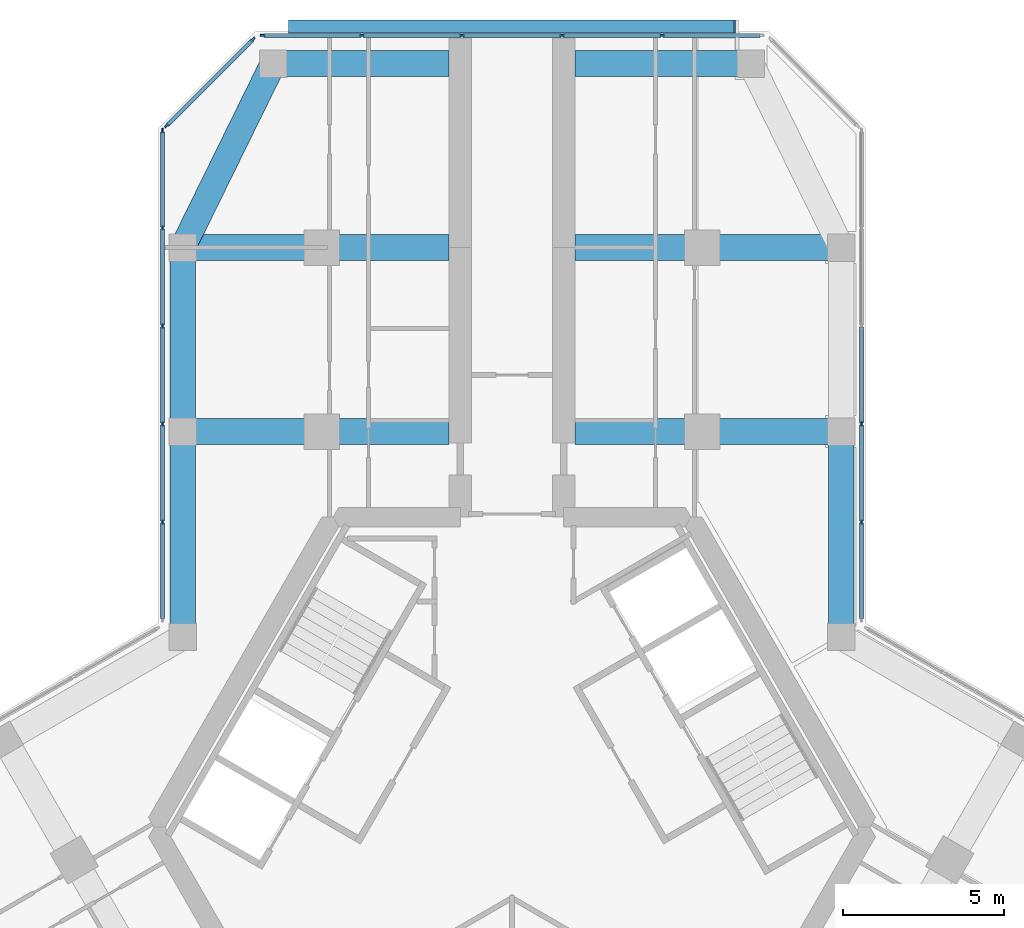
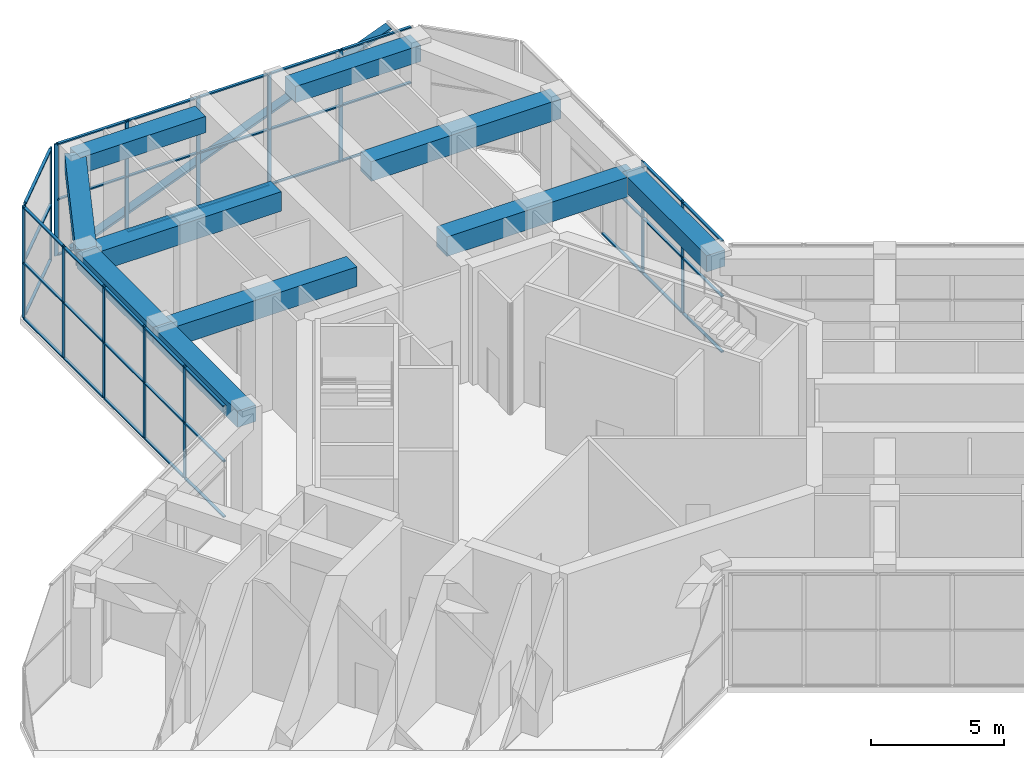
# One storey, part 7 of 16: 56 members, 10 beams, 4 elements without a shape of their own.
"""IFC4 building model written with IfcOpenShell, lengths in metres."""

from ifc_helpers import new_model, si_unit, direction, frame, origin, origin_2d, place, context, subcontext, project, spatial, rectangle, extrude, material, material_profile, profile_set, type_object, element, aggregate, save


model = new_model("IFC4")

# Units and contexts
model_context = context("Model", 3, precision=1e-05, world=origin(), true_north=direction((0.0, 1.0)))
body_context = subcontext(model_context, "Body", "Model", "MODEL_VIEW")
ifc_project = project(units=[si_unit("LENGTHUNIT", "METRE"), si_unit("AREAUNIT", "SQUARE_METRE"), si_unit("VOLUMEUNIT", "CUBIC_METRE"), si_unit("PLANEANGLEUNIT", "RADIAN"), si_unit("MASSUNIT", "GRAM", prefix="KILO")], contexts=[model_context])

# Site, building, storey
site_placement = place(None, origin())
site = spatial("IfcSite", under=ifc_project, at=site_placement, CompositionType="ELEMENT")
building_placement = place(site_placement, origin())
building = spatial("IfcBuilding", under=site, at=building_placement, Name="Kosmar Iwan School Tower", CompositionType="ELEMENT")
storey_placement = place(building_placement, frame((0.0, 0.0, 226.199951171875)))
storey = spatial("IfcBuildingStorey", under=building, at=storey_placement, Name="L57", CompositionType="ELEMENT", Elevation=226.199951171875)

# Member
ifc_material_1 = material(Name="Black anodised aluminium", Category="aluminium")
ifc_material_profile_1 = material_profile(ifc_material_1, rectangle(XDim=0.10009765625, YDim=0.39990234375, at=origin_2d()), Name="FIN 100x400")
ifc_profile_set_1 = profile_set([ifc_material_profile_1], Name="Black anodised aluminium")
member_type_1 = type_object("IfcMemberType", Name="Diagonal fin 100x400", PredefinedType="USERDEFINED", material=ifc_profile_set_1)
member_1_placement = place(storey_placement, frame((-6.898193359375, 24.800048828125, -0.14990234375), z_axis=(0.93121262856, 0.0, 0.364476392116), x_axis=(-0.364476392116, 0.0, 0.93121262856)))
element("IfcMember", 1, at=member_1_placement, inside=storey, type_object=member_type_1, Name="Diagonal fin L57-F06", ObjectType="FIN", PredefinedType="USERDEFINED", context=body_context, shape_type="SweptSolid", body=[
    extrude(rectangle(XDim=0.10009765625, YDim=0.39990234375, at=origin_2d()), origin(), (0.0, 0.0, 1.0), 14.8154296875),
])

# Curtain wall, members
ifc_material_2 = material(Name="Dark glass in black aluminium frame", Category="aluminium")
curtain_wall_type_1 = type_object("IfcCurtainWallType", Name="Winter garden curtain wall", PredefinedType="USERDEFINED", material=ifc_material_2)
curtain_wall_1_placement = place(storey_placement, origin())
curtain_wall_1 = element("IfcCurtainWall", 2, at=curtain_wall_1_placement, inside=storey, type_object=curtain_wall_type_1, Name="Curtain wall L57-F04", ObjectType="WINTER GARDEN CURTAIN WALL", PredefinedType="USERDEFINED")
ifc_material_3 = material(Name="Black anodised aluminium", Category="aluminium")
ifc_material_profile_2 = material_profile(ifc_material_3, rectangle(XDim=0.06005859375, YDim=0.159912109375, at=origin_2d()), Name="MULLION 60x160")
ifc_profile_set_2 = profile_set([ifc_material_profile_2], Name="Black anodised aluminium")
member_type_2 = type_object("IfcMemberType", Name="Mullion 60x160", PredefinedType="MULLION", material=ifc_profile_set_2)
member_2_placement = place(storey_placement, frame((10.824951171875, 9.44677734375, 0.0), z_axis=(0.0, 0.0, 1.0), x_axis=(-1.0, 0.0, 0.0)))
member_2 = element("IfcMember", 3, at=member_2_placement, type_object=member_type_2, Name="CW7 mullion 2", PredefinedType="MULLION", context=body_context, shape_type="SweptSolid", body=[
    extrude(rectangle(XDim=0.06005859375, YDim=0.159912109375, at=origin_2d()), origin(), (0.0, 0.0, 1.0), 5.150146484375),
])
member_3_placement = place(storey_placement, frame((10.824951171875, 12.484619140625, 0.0), z_axis=(0.0, 0.0, 1.0), x_axis=(-1.0, 0.0, 0.0)))
member_3 = element("IfcMember", 4, at=member_3_placement, type_object=member_type_2, Name="CW7 mullion 3", PredefinedType="MULLION", context=body_context, shape_type="SweptSolid", body=[
    extrude(rectangle(XDim=0.06005859375, YDim=0.159912109375, at=origin_2d()), origin(), (0.0, 0.0, 1.0), 5.150146484375),
])

ifc_material_4 = material(Name="Dark glass in black aluminium frame", Category="aluminium")
curtain_wall_type_2 = type_object("IfcCurtainWallType", Name="Tower curtain wall dark glass", PredefinedType="USERDEFINED", material=ifc_material_4)
curtain_wall_2_placement = place(storey_placement, origin())
curtain_wall_2 = element("IfcCurtainWall", 5, at=curtain_wall_2_placement, inside=storey, type_object=curtain_wall_type_2, Name="Curtain wall L57-F06", ObjectType="UNITISED CURTAIN WALL", PredefinedType="USERDEFINED")
member_4_placement = place(storey_placement, frame((4.64892578125, 24.52490234375, 0.0), z_axis=(0.0, 0.0, 1.0), x_axis=(0.0, -1.0, 0.0)))
member_4 = element("IfcMember", 6, at=member_4_placement, type_object=member_type_2, Name="CW1 mullion 2", PredefinedType="MULLION", context=body_context, shape_type="SweptSolid", body=[
    extrude(rectangle(XDim=0.06005859375, YDim=0.159912109375, at=origin_2d()), origin(), (0.0, 0.0, 1.0), 5.150146484375),
])
member_5_placement = place(storey_placement, frame((1.549560546875, 24.52490234375, 0.0), z_axis=(0.0, 0.0, 1.0), x_axis=(0.0, -1.0, 0.0)))
member_5 = element("IfcMember", 7, at=member_5_placement, type_object=member_type_2, Name="CW1 mullion 3", PredefinedType="MULLION", context=body_context, shape_type="SweptSolid", body=[
    extrude(rectangle(XDim=0.06005859375, YDim=0.159912109375, at=origin_2d()), origin(), (0.0, 0.0, 1.0), 5.150146484375),
])
member_6_placement = place(storey_placement, frame((-1.549560546875, 24.52490234375, 0.0), z_axis=(0.0, 0.0, 1.0), x_axis=(0.0, -1.0, 0.0)))
member_6 = element("IfcMember", 8, at=member_6_placement, type_object=member_type_2, Name="CW1 mullion 4", PredefinedType="MULLION", context=body_context, shape_type="SweptSolid", body=[
    extrude(rectangle(XDim=0.06005859375, YDim=0.159912109375, at=origin_2d()), origin(), (0.0, 0.0, 1.0), 5.150146484375),
])
member_7_placement = place(storey_placement, frame((-4.64892578125, 24.52490234375, 0.0), z_axis=(0.0, 0.0, 1.0), x_axis=(0.0, -1.0, 0.0)))
member_7 = element("IfcMember", 9, at=member_7_placement, type_object=member_type_2, Name="CW1 mullion 5", PredefinedType="MULLION", context=body_context, shape_type="SweptSolid", body=[
    extrude(rectangle(XDim=0.06005859375, YDim=0.159912109375, at=origin_2d()), origin(), (0.0, 0.0, 1.0), 5.150146484375),
])
member_8_placement = place(storey_placement, frame((-7.71826171875, 24.52490234375, 0.0), z_axis=(0.0, 0.0, 1.0), x_axis=(0.0, -1.0, 0.0)))
member_8 = element("IfcMember", 10, at=member_8_placement, type_object=member_type_2, Name="CW1 mullion 6", PredefinedType="MULLION", context=body_context, shape_type="SweptSolid", body=[
    extrude(rectangle(XDim=0.06005859375, YDim=0.159912109375, at=origin_2d()), origin(), (0.0, 0.0, 1.0), 5.150146484375),
])

ifc_material_5 = material(Name="Dark glass in black aluminium frame", Category="aluminium")
curtain_wall_type_3 = type_object("IfcCurtainWallType", Name="Chamfer curtain wall dark glass", PredefinedType="USERDEFINED", material=ifc_material_5)
curtain_wall_3_placement = place(storey_placement, origin())
curtain_wall_3 = element("IfcCurtainWall", 11, at=curtain_wall_3_placement, inside=storey, type_object=curtain_wall_type_3, Name="Curtain wall L57-F07", ObjectType="FACETED CURTAIN WALL", PredefinedType="USERDEFINED")
member_9_placement = place(storey_placement, frame((-8.025390625, 24.397705078125, 0.0), z_axis=(0.0, 0.0, 1.0), x_axis=(0.707106781187, -0.707106781187, 0.0)))
member_9 = element("IfcMember", 12, at=member_9_placement, type_object=member_type_2, Name="CW2 mullion 1", PredefinedType="MULLION", context=body_context, shape_type="SweptSolid", body=[
    extrude(rectangle(XDim=0.06005859375, YDim=0.159912109375, at=origin_2d()), origin(), (0.0, 0.0, 1.0), 5.150146484375),
])
member_10_placement = place(storey_placement, frame((-10.69775390625, 21.7255859375, 0.0), z_axis=(0.0, 0.0, 1.0), x_axis=(0.707106781187, -0.707106781187, 0.0)))
member_10 = element("IfcMember", 13, at=member_10_placement, type_object=member_type_2, Name="CW2 mullion 2", PredefinedType="MULLION", context=body_context, shape_type="SweptSolid", body=[
    extrude(rectangle(XDim=0.06005859375, YDim=0.159912109375, at=origin_2d()), origin(), (0.0, 0.0, 1.0), 5.150146484375),
])

curtain_wall_4_placement = place(storey_placement, origin())
curtain_wall_4 = element("IfcCurtainWall", 14, at=curtain_wall_4_placement, inside=storey, type_object=curtain_wall_type_1, Name="Curtain wall L57-F08", ObjectType="WINTER GARDEN CURTAIN WALL", PredefinedType="USERDEFINED")
member_11_placement = place(storey_placement, frame((-10.824951171875, 9.44677734375, 0.0), z_axis=(0.0, 0.0, 1.0), x_axis=(-1.0, 0.0, 0.0)))
member_11 = element("IfcMember", 15, at=member_11_placement, type_object=member_type_2, Name="CW7 mullion 2", PredefinedType="MULLION", context=body_context, shape_type="SweptSolid", body=[
    extrude(rectangle(XDim=0.06005859375, YDim=0.159912109375, at=origin_2d()), origin(), (0.0, 0.0, 1.0), 5.150146484375),
])
member_12_placement = place(storey_placement, frame((-10.824951171875, 12.484619140625, 0.0), z_axis=(0.0, 0.0, 1.0), x_axis=(-1.0, 0.0, 0.0)))
member_12 = element("IfcMember", 16, at=member_12_placement, type_object=member_type_2, Name="CW7 mullion 3", PredefinedType="MULLION", context=body_context, shape_type="SweptSolid", body=[
    extrude(rectangle(XDim=0.06005859375, YDim=0.159912109375, at=origin_2d()), origin(), (0.0, 0.0, 1.0), 5.150146484375),
])
member_13_placement = place(storey_placement, frame((-10.824951171875, 15.5224609375, 0.0), z_axis=(0.0, 0.0, 1.0), x_axis=(-1.0, 0.0, 0.0)))
member_13 = element("IfcMember", 17, at=member_13_placement, type_object=member_type_2, Name="CW7 mullion 4", PredefinedType="MULLION", context=body_context, shape_type="SweptSolid", body=[
    extrude(rectangle(XDim=0.06005859375, YDim=0.159912109375, at=origin_2d()), origin(), (0.0, 0.0, 1.0), 5.150146484375),
])
member_14_placement = place(storey_placement, frame((-10.824951171875, 18.560302734375, 0.0), z_axis=(0.0, 0.0, 1.0), x_axis=(-1.0, 0.0, 0.0)))
member_14 = element("IfcMember", 18, at=member_14_placement, type_object=member_type_2, Name="CW7 mullion 5", PredefinedType="MULLION", context=body_context, shape_type="SweptSolid", body=[
    extrude(rectangle(XDim=0.06005859375, YDim=0.159912109375, at=origin_2d()), origin(), (0.0, 0.0, 1.0), 5.150146484375),
])
member_15_placement = place(storey_placement, frame((-10.824951171875, 21.568115234375, 0.0), z_axis=(0.0, 0.0, 1.0), x_axis=(-1.0, 0.0, 0.0)))
member_15 = element("IfcMember", 19, at=member_15_placement, type_object=member_type_2, Name="CW7 mullion 6", PredefinedType="MULLION", context=body_context, shape_type="SweptSolid", body=[
    extrude(rectangle(XDim=0.06005859375, YDim=0.159912109375, at=origin_2d()), origin(), (0.0, 0.0, 1.0), 5.150146484375),
])

# Beams
ifc_material_6 = material(Name="Concrete C50/60", Category="concrete")
ifc_material_profile_3 = material_profile(ifc_material_6, rectangle(XDim=0.800048828125, YDim=0.75, at=origin_2d()), Name="RC 800x750")
ifc_profile_set_3 = profile_set([ifc_material_profile_3], Name="Concrete C50/60")
beam_type_1 = type_object("IfcBeamType", Name="RC edge beam 800x750", PredefinedType="BEAM", material=ifc_profile_set_3)
beam_1_placement = place(storey_placement, frame((-10.199951171875, 5.888916015625, 4.775146484375), z_axis=(0.0, 1.0, 0.0), x_axis=(-1.0, 0.0, 0.0)))
element("IfcBeam", 20, at=beam_1_placement, inside=storey, type_object=beam_type_1, Name="Edge beam AL1", PredefinedType="BEAM", context=body_context, shape_type="SweptSolid", body=[
    extrude(rectangle(XDim=0.800048828125, YDim=0.75, at=origin_2d()), origin(), (0.0, 0.0, 1.0), 6.361083984375),
])
beam_2_placement = place(storey_placement, frame((-10.199951171875, 12.25, 4.775146484375), z_axis=(0.0, 1.0, 0.0), x_axis=(-1.0, 0.0, 0.0)))
element("IfcBeam", 21, at=beam_2_placement, inside=storey, type_object=beam_type_1, Name="Edge beam AL2", PredefinedType="BEAM", context=body_context, shape_type="SweptSolid", body=[
    extrude(rectangle(XDim=0.800048828125, YDim=0.75, at=origin_2d()), origin(), (0.0, 0.0, 1.0), 5.699951171875),
])
beam_3_placement = place(storey_placement, frame((10.199951171875, 5.888916015625, 4.775146484375), z_axis=(0.0, 1.0, 0.0), x_axis=(-1.0, 0.0, 0.0)))
element("IfcBeam", 22, at=beam_3_placement, inside=storey, type_object=beam_type_1, Name="Edge beam AR1", PredefinedType="BEAM", context=body_context, shape_type="SweptSolid", body=[
    extrude(rectangle(XDim=0.800048828125, YDim=0.75, at=origin_2d()), origin(), (0.0, 0.0, 1.0), 6.361083984375),
])
ifc_material_7 = material(Name="Concrete C50/60", Category="concrete")
ifc_material_profile_4 = material_profile(ifc_material_7, rectangle(XDim=0.800048828125, YDim=0.75, at=origin_2d()), Name="RC 800x750")
ifc_profile_set_4 = profile_set([ifc_material_profile_4], Name="Concrete C50/60")
beam_type_2 = type_object("IfcBeamType", Name="RC tip beam 800x750", PredefinedType="BEAM", material=ifc_profile_set_4)
beam_4_placement = place(storey_placement, frame((-10.199951171875, 17.949951171875, 4.775146484375), z_axis=(0.440913116462, 0.897549788999, 0.0), x_axis=(-0.897549788999, 0.440913116462, 0.0)))
element("IfcBeam", 23, at=beam_4_placement, inside=storey, type_object=beam_type_2, Name="Tip beam AL", PredefinedType="BEAM", context=body_context, shape_type="SweptSolid", body=[
    extrude(rectangle(XDim=0.800048828125, YDim=0.75, at=origin_2d()), origin(), (0.0, 0.0, 1.0), 6.3505859375),
])
for number, where, z_axis, x_axis, name in (
    (24, (-7.39990234375, 23.64990234375, 4.775146484375), (1.0, 0.0, 0.0), (0.0, 1.0, 0.0), "Tip beam AL to corridor wall"),
    (25, (7.39990234375, 23.64990234375, 4.775146484375), (-1.0, 0.0, 0.0), (0.0, -1.0, 0.0), "Tip beam AR to corridor wall"),
):
    element("IfcBeam", number, at=place(storey_placement, frame(where, z_axis=z_axis, x_axis=x_axis)), inside=storey, type_object=beam_type_2, Name=name, PredefinedType="BEAM", context=body_context, shape_type="SweptSolid", body=[
        extrude(rectangle(XDim=0.800048828125, YDim=0.75, at=origin_2d()), origin(), (0.0, 0.0, 1.0), 5.449951171875),
    ])
ifc_material_8 = material(Name="Concrete C50/60", Category="concrete")
ifc_material_profile_5 = material_profile(ifc_material_8, rectangle(XDim=0.800048828125, YDim=0.89990234375, at=origin_2d()), Name="RC 800x900")
ifc_profile_set_5 = profile_set([ifc_material_profile_5], Name="Concrete C50/60")
beam_type_3 = type_object("IfcBeamType", Name="RC transverse beam 800x900", PredefinedType="BEAM", material=ifc_profile_set_5)
for number, where, z_axis, x_axis, name in (
    (26, (-10.199951171875, 12.25, 4.699951171875), (1.0, 0.0, 0.0), (0.0, 1.0, 0.0), "Transverse beam AL1"),
    (27, (-10.199951171875, 17.949951171875, 4.699951171875), (1.0, 0.0, 0.0), (0.0, 1.0, 0.0), "Transverse beam AL2"),
    (28, (10.199951171875, 12.25, 4.699951171875), (-1.0, 0.0, 0.0), (0.0, -1.0, 0.0), "Transverse beam AR1"),
    (29, (10.199951171875, 17.949951171875, 4.699951171875), (-1.0, 0.0, 0.0), (0.0, -1.0, 0.0), "Transverse beam AR2"),
):
    element("IfcBeam", number, at=place(storey_placement, frame(where, z_axis=z_axis, x_axis=x_axis)), inside=storey, type_object=beam_type_3, Name=name, PredefinedType="BEAM", context=body_context, shape_type="SweptSolid", body=[
        extrude(rectangle(XDim=0.800048828125, YDim=0.89990234375, at=origin_2d()), origin(), (0.0, 0.0, 1.0), 8.25),
    ])

# Member
ifc_material_9 = material(Name="Black anodised aluminium", Category="aluminium")
ifc_material_profile_6 = material_profile(ifc_material_9, rectangle(XDim=0.1201171875, YDim=0.06005859375, at=origin_2d()), Name="TRANSOM 60x120")
ifc_profile_set_6 = profile_set([ifc_material_profile_6], Name="Black anodised aluminium")
member_type_3 = type_object("IfcMemberType", Name="Transom 60x120", PredefinedType="USERDEFINED", material=ifc_profile_set_6)
member_16_placement = place(storey_placement, frame((10.824951171875, 6.468994140625, 0.030029296875), z_axis=(0.0, 1.0, 0.0), x_axis=(-1.0, 0.0, 0.0)))
member_16 = element("IfcMember", 30, at=member_16_placement, type_object=member_type_3, Name="CW7 transom 1.1", ObjectType="TRANSOM", PredefinedType="USERDEFINED", context=body_context, shape_type="SweptSolid", body=[
    extrude(rectangle(XDim=0.1201171875, YDim=0.06005859375, at=origin_2d()), origin(), (0.0, 0.0, 1.0), 2.94775390625),
])

member_17_placement = place(storey_placement, frame((10.824951171875, 6.468994140625, 2.574951171875), z_axis=(0.0, 1.0, 0.0), x_axis=(-1.0, 0.0, 0.0)))
member_17 = element("IfcMember", 31, at=member_17_placement, type_object=member_type_3, Name="CW7 transom 1.2", ObjectType="TRANSOM", PredefinedType="USERDEFINED", context=body_context, shape_type="SweptSolid", body=[
    extrude(rectangle(XDim=0.1201171875, YDim=0.06005859375, at=origin_2d()), origin(), (0.0, 0.0, 1.0), 2.94775390625),
])

member_18_placement = place(storey_placement, frame((10.824951171875, 6.468994140625, 5.1201171875), z_axis=(0.0, 1.0, 0.0), x_axis=(-1.0, 0.0, 0.0)))
member_18 = element("IfcMember", 32, at=member_18_placement, type_object=member_type_3, Name="CW7 transom 1.3", ObjectType="TRANSOM", PredefinedType="USERDEFINED", context=body_context, shape_type="SweptSolid", body=[
    extrude(rectangle(XDim=0.1201171875, YDim=0.06005859375, at=origin_2d()), origin(), (0.0, 0.0, 1.0), 2.94775390625),
])

member_19_placement = place(storey_placement, frame((10.824951171875, 9.476806640625, 0.030029296875), z_axis=(0.0, 1.0, 0.0), x_axis=(-1.0, 0.0, 0.0)))
member_19 = element("IfcMember", 33, at=member_19_placement, type_object=member_type_3, Name="CW7 transom 2.1", ObjectType="TRANSOM", PredefinedType="USERDEFINED", context=body_context, shape_type="SweptSolid", body=[
    extrude(rectangle(XDim=0.1201171875, YDim=0.06005859375, at=origin_2d()), origin(), (0.0, 0.0, 1.0), 2.977783203125),
])

member_20_placement = place(storey_placement, frame((10.824951171875, 9.476806640625, 2.574951171875), z_axis=(0.0, 1.0, 0.0), x_axis=(-1.0, 0.0, 0.0)))
member_20 = element("IfcMember", 34, at=member_20_placement, type_object=member_type_3, Name="CW7 transom 2.2", ObjectType="TRANSOM", PredefinedType="USERDEFINED", context=body_context, shape_type="SweptSolid", body=[
    extrude(rectangle(XDim=0.1201171875, YDim=0.06005859375, at=origin_2d()), origin(), (0.0, 0.0, 1.0), 2.977783203125),
])

member_21_placement = place(storey_placement, frame((10.824951171875, 9.476806640625, 5.1201171875), z_axis=(0.0, 1.0, 0.0), x_axis=(-1.0, 0.0, 0.0)))
member_21 = element("IfcMember", 35, at=member_21_placement, type_object=member_type_3, Name="CW7 transom 2.3", ObjectType="TRANSOM", PredefinedType="USERDEFINED", context=body_context, shape_type="SweptSolid", body=[
    extrude(rectangle(XDim=0.1201171875, YDim=0.06005859375, at=origin_2d()), origin(), (0.0, 0.0, 1.0), 2.977783203125),
])

member_22_placement = place(storey_placement, frame((10.824951171875, 12.5146484375, 0.030029296875), z_axis=(0.0, 1.0, 0.0), x_axis=(-1.0, 0.0, 0.0)))
member_22 = element("IfcMember", 36, at=member_22_placement, type_object=member_type_3, Name="CW7 transom 3.1", ObjectType="TRANSOM", PredefinedType="USERDEFINED", context=body_context, shape_type="SweptSolid", body=[
    extrude(rectangle(XDim=0.1201171875, YDim=0.06005859375, at=origin_2d()), origin(), (0.0, 0.0, 1.0), 2.977783203125),
])

member_23_placement = place(storey_placement, frame((10.824951171875, 12.5146484375, 2.574951171875), z_axis=(0.0, 1.0, 0.0), x_axis=(-1.0, 0.0, 0.0)))
member_23 = element("IfcMember", 37, at=member_23_placement, type_object=member_type_3, Name="CW7 transom 3.2", ObjectType="TRANSOM", PredefinedType="USERDEFINED", context=body_context, shape_type="SweptSolid", body=[
    extrude(rectangle(XDim=0.1201171875, YDim=0.06005859375, at=origin_2d()), origin(), (0.0, 0.0, 1.0), 2.977783203125),
])

aggregate(curtain_wall_1, [member_2, member_3, member_16, member_17, member_18, member_19, member_20, member_21, member_22, member_23])

member_24_placement = place(storey_placement, frame((7.688232421875, 24.52490234375, 0.030029296875), z_axis=(-1.0, 0.0, 0.0), x_axis=(0.0, -1.0, 0.0)))
member_24 = element("IfcMember", 38, at=member_24_placement, type_object=member_type_3, Name="CW1 transom 1.1", ObjectType="TRANSOM", PredefinedType="USERDEFINED", context=body_context, shape_type="SweptSolid", body=[
    extrude(rectangle(XDim=0.1201171875, YDim=0.06005859375, at=origin_2d()), origin(), (0.0, 0.0, 1.0), 3.00927734375),
])

member_25_placement = place(storey_placement, frame((7.688232421875, 24.52490234375, 2.574951171875), z_axis=(-1.0, 0.0, 0.0), x_axis=(0.0, -1.0, 0.0)))
member_25 = element("IfcMember", 39, at=member_25_placement, type_object=member_type_3, Name="CW1 transom 1.2", ObjectType="TRANSOM", PredefinedType="USERDEFINED", context=body_context, shape_type="SweptSolid", body=[
    extrude(rectangle(XDim=0.1201171875, YDim=0.06005859375, at=origin_2d()), origin(), (0.0, 0.0, 1.0), 3.00927734375),
])

member_26_placement = place(storey_placement, frame((7.688232421875, 24.52490234375, 5.1201171875), z_axis=(-1.0, 0.0, 0.0), x_axis=(0.0, -1.0, 0.0)))
member_26 = element("IfcMember", 40, at=member_26_placement, type_object=member_type_3, Name="CW1 transom 1.3", ObjectType="TRANSOM", PredefinedType="USERDEFINED", context=body_context, shape_type="SweptSolid", body=[
    extrude(rectangle(XDim=0.1201171875, YDim=0.06005859375, at=origin_2d()), origin(), (0.0, 0.0, 1.0), 3.00927734375),
])

member_27_placement = place(storey_placement, frame((4.618896484375, 24.52490234375, 0.030029296875), z_axis=(-1.0, 0.0, 0.0), x_axis=(0.0, -1.0, 0.0)))
member_27 = element("IfcMember", 41, at=member_27_placement, type_object=member_type_3, Name="CW1 transom 2.1", ObjectType="TRANSOM", PredefinedType="USERDEFINED", context=body_context, shape_type="SweptSolid", body=[
    extrude(rectangle(XDim=0.1201171875, YDim=0.06005859375, at=origin_2d()), origin(), (0.0, 0.0, 1.0), 3.039306640625),
])

member_28_placement = place(storey_placement, frame((4.618896484375, 24.52490234375, 2.574951171875), z_axis=(-1.0, 0.0, 0.0), x_axis=(0.0, -1.0, 0.0)))
member_28 = element("IfcMember", 42, at=member_28_placement, type_object=member_type_3, Name="CW1 transom 2.2", ObjectType="TRANSOM", PredefinedType="USERDEFINED", context=body_context, shape_type="SweptSolid", body=[
    extrude(rectangle(XDim=0.1201171875, YDim=0.06005859375, at=origin_2d()), origin(), (0.0, 0.0, 1.0), 3.039306640625),
])

member_29_placement = place(storey_placement, frame((4.618896484375, 24.52490234375, 5.1201171875), z_axis=(-1.0, 0.0, 0.0), x_axis=(0.0, -1.0, 0.0)))
member_29 = element("IfcMember", 43, at=member_29_placement, type_object=member_type_3, Name="CW1 transom 2.3", ObjectType="TRANSOM", PredefinedType="USERDEFINED", context=body_context, shape_type="SweptSolid", body=[
    extrude(rectangle(XDim=0.1201171875, YDim=0.06005859375, at=origin_2d()), origin(), (0.0, 0.0, 1.0), 3.039306640625),
])

member_30_placement = place(storey_placement, frame((1.51953125, 24.52490234375, 0.030029296875), z_axis=(-1.0, 0.0, 0.0), x_axis=(0.0, -1.0, 0.0)))
member_30 = element("IfcMember", 44, at=member_30_placement, type_object=member_type_3, Name="CW1 transom 3.1", ObjectType="TRANSOM", PredefinedType="USERDEFINED", context=body_context, shape_type="SweptSolid", body=[
    extrude(rectangle(XDim=0.1201171875, YDim=0.06005859375, at=origin_2d()), origin(), (0.0, 0.0, 1.0), 3.0390625),
])

member_31_placement = place(storey_placement, frame((1.51953125, 24.52490234375, 2.574951171875), z_axis=(-1.0, 0.0, 0.0), x_axis=(0.0, -1.0, 0.0)))
member_31 = element("IfcMember", 45, at=member_31_placement, type_object=member_type_3, Name="CW1 transom 3.2", ObjectType="TRANSOM", PredefinedType="USERDEFINED", context=body_context, shape_type="SweptSolid", body=[
    extrude(rectangle(XDim=0.1201171875, YDim=0.06005859375, at=origin_2d()), origin(), (0.0, 0.0, 1.0), 3.0390625),
])

member_32_placement = place(storey_placement, frame((1.51953125, 24.52490234375, 5.1201171875), z_axis=(-1.0, 0.0, 0.0), x_axis=(0.0, -1.0, 0.0)))
member_32 = element("IfcMember", 46, at=member_32_placement, type_object=member_type_3, Name="CW1 transom 3.3", ObjectType="TRANSOM", PredefinedType="USERDEFINED", context=body_context, shape_type="SweptSolid", body=[
    extrude(rectangle(XDim=0.1201171875, YDim=0.06005859375, at=origin_2d()), origin(), (0.0, 0.0, 1.0), 3.0390625),
])

member_33_placement = place(storey_placement, frame((-1.57958984375, 24.52490234375, 0.030029296875), z_axis=(-1.0, 0.0, 0.0), x_axis=(0.0, -1.0, 0.0)))
member_33 = element("IfcMember", 47, at=member_33_placement, type_object=member_type_3, Name="CW1 transom 4.1", ObjectType="TRANSOM", PredefinedType="USERDEFINED", context=body_context, shape_type="SweptSolid", body=[
    extrude(rectangle(XDim=0.1201171875, YDim=0.06005859375, at=origin_2d()), origin(), (0.0, 0.0, 1.0), 3.039306640625),
])

member_34_placement = place(storey_placement, frame((-1.57958984375, 24.52490234375, 2.574951171875), z_axis=(-1.0, 0.0, 0.0), x_axis=(0.0, -1.0, 0.0)))
member_34 = element("IfcMember", 48, at=member_34_placement, type_object=member_type_3, Name="CW1 transom 4.2", ObjectType="TRANSOM", PredefinedType="USERDEFINED", context=body_context, shape_type="SweptSolid", body=[
    extrude(rectangle(XDim=0.1201171875, YDim=0.06005859375, at=origin_2d()), origin(), (0.0, 0.0, 1.0), 3.039306640625),
])

member_35_placement = place(storey_placement, frame((-1.57958984375, 24.52490234375, 5.1201171875), z_axis=(-1.0, 0.0, 0.0), x_axis=(0.0, -1.0, 0.0)))
member_35 = element("IfcMember", 49, at=member_35_placement, type_object=member_type_3, Name="CW1 transom 4.3", ObjectType="TRANSOM", PredefinedType="USERDEFINED", context=body_context, shape_type="SweptSolid", body=[
    extrude(rectangle(XDim=0.1201171875, YDim=0.06005859375, at=origin_2d()), origin(), (0.0, 0.0, 1.0), 3.039306640625),
])

member_36_placement = place(storey_placement, frame((-4.678955078125, 24.52490234375, 0.030029296875), z_axis=(-1.0, 0.0, 0.0), x_axis=(0.0, -1.0, 0.0)))
member_36 = element("IfcMember", 50, at=member_36_placement, type_object=member_type_3, Name="CW1 transom 5.1", ObjectType="TRANSOM", PredefinedType="USERDEFINED", context=body_context, shape_type="SweptSolid", body=[
    extrude(rectangle(XDim=0.1201171875, YDim=0.06005859375, at=origin_2d()), origin(), (0.0, 0.0, 1.0), 3.00927734375),
])

member_37_placement = place(storey_placement, frame((-4.678955078125, 24.52490234375, 2.574951171875), z_axis=(-1.0, 0.0, 0.0), x_axis=(0.0, -1.0, 0.0)))
member_37 = element("IfcMember", 51, at=member_37_placement, type_object=member_type_3, Name="CW1 transom 5.2", ObjectType="TRANSOM", PredefinedType="USERDEFINED", context=body_context, shape_type="SweptSolid", body=[
    extrude(rectangle(XDim=0.1201171875, YDim=0.06005859375, at=origin_2d()), origin(), (0.0, 0.0, 1.0), 3.00927734375),
])

member_38_placement = place(storey_placement, frame((-4.678955078125, 24.52490234375, 5.1201171875), z_axis=(-1.0, 0.0, 0.0), x_axis=(0.0, -1.0, 0.0)))
member_38 = element("IfcMember", 52, at=member_38_placement, type_object=member_type_3, Name="CW1 transom 5.3", ObjectType="TRANSOM", PredefinedType="USERDEFINED", context=body_context, shape_type="SweptSolid", body=[
    extrude(rectangle(XDim=0.1201171875, YDim=0.06005859375, at=origin_2d()), origin(), (0.0, 0.0, 1.0), 3.00927734375),
])

aggregate(curtain_wall_2, [member_4, member_5, member_6, member_7, member_8, member_24, member_25, member_26, member_27, member_28, member_29, member_30, member_31, member_32, member_33, member_34, member_35, member_36, member_37, member_38])

member_39_placement = place(storey_placement, frame((-8.046630859375, 24.37646484375, 0.030029296875), z_axis=(-0.707139603466, -0.707073957383, 0.0), x_axis=(0.707073957383, -0.707139603466, 0.0)))
member_39 = element("IfcMember", 53, at=member_39_placement, type_object=member_type_3, Name="CW2 transom 1.1", ObjectType="TRANSOM", PredefinedType="USERDEFINED", context=body_context, shape_type="SweptSolid", body=[
    extrude(rectangle(XDim=0.1201171875, YDim=0.06005859375, at=origin_2d()), origin(), (0.0, 0.0, 1.0), 3.718994140625),
])

member_40_placement = place(storey_placement, frame((-8.046630859375, 24.37646484375, 2.574951171875), z_axis=(-0.707139603466, -0.707073957383, 0.0), x_axis=(0.707073957383, -0.707139603466, 0.0)))
member_40 = element("IfcMember", 54, at=member_40_placement, type_object=member_type_3, Name="CW2 transom 1.2", ObjectType="TRANSOM", PredefinedType="USERDEFINED", context=body_context, shape_type="SweptSolid", body=[
    extrude(rectangle(XDim=0.1201171875, YDim=0.06005859375, at=origin_2d()), origin(), (0.0, 0.0, 1.0), 3.718994140625),
])

member_41_placement = place(storey_placement, frame((-8.046630859375, 24.37646484375, 5.1201171875), z_axis=(-0.707139603466, -0.707073957383, 0.0), x_axis=(0.707073957383, -0.707139603466, 0.0)))
member_41 = element("IfcMember", 55, at=member_41_placement, type_object=member_type_3, Name="CW2 transom 1.3", ObjectType="TRANSOM", PredefinedType="USERDEFINED", context=body_context, shape_type="SweptSolid", body=[
    extrude(rectangle(XDim=0.1201171875, YDim=0.06005859375, at=origin_2d()), origin(), (0.0, 0.0, 1.0), 3.718994140625),
])

aggregate(curtain_wall_3, [member_9, member_10, member_39, member_40, member_41])

member_42_placement = place(storey_placement, frame((-10.824951171875, 6.468994140625, 0.030029296875), z_axis=(0.0, 1.0, 0.0), x_axis=(-1.0, 0.0, 0.0)))
member_42 = element("IfcMember", 56, at=member_42_placement, type_object=member_type_3, Name="CW7 transom 1.1", ObjectType="TRANSOM", PredefinedType="USERDEFINED", context=body_context, shape_type="SweptSolid", body=[
    extrude(rectangle(XDim=0.1201171875, YDim=0.06005859375, at=origin_2d()), origin(), (0.0, 0.0, 1.0), 2.94775390625),
])

member_43_placement = place(storey_placement, frame((-10.824951171875, 6.468994140625, 2.574951171875), z_axis=(0.0, 1.0, 0.0), x_axis=(-1.0, 0.0, 0.0)))
member_43 = element("IfcMember", 57, at=member_43_placement, type_object=member_type_3, Name="CW7 transom 1.2", ObjectType="TRANSOM", PredefinedType="USERDEFINED", context=body_context, shape_type="SweptSolid", body=[
    extrude(rectangle(XDim=0.1201171875, YDim=0.06005859375, at=origin_2d()), origin(), (0.0, 0.0, 1.0), 2.94775390625),
])

member_44_placement = place(storey_placement, frame((-10.824951171875, 6.468994140625, 5.1201171875), z_axis=(0.0, 1.0, 0.0), x_axis=(-1.0, 0.0, 0.0)))
member_44 = element("IfcMember", 58, at=member_44_placement, type_object=member_type_3, Name="CW7 transom 1.3", ObjectType="TRANSOM", PredefinedType="USERDEFINED", context=body_context, shape_type="SweptSolid", body=[
    extrude(rectangle(XDim=0.1201171875, YDim=0.06005859375, at=origin_2d()), origin(), (0.0, 0.0, 1.0), 2.94775390625),
])

member_45_placement = place(storey_placement, frame((-10.824951171875, 9.476806640625, 0.030029296875), z_axis=(0.0, 1.0, 0.0), x_axis=(-1.0, 0.0, 0.0)))
member_45 = element("IfcMember", 59, at=member_45_placement, type_object=member_type_3, Name="CW7 transom 2.1", ObjectType="TRANSOM", PredefinedType="USERDEFINED", context=body_context, shape_type="SweptSolid", body=[
    extrude(rectangle(XDim=0.1201171875, YDim=0.06005859375, at=origin_2d()), origin(), (0.0, 0.0, 1.0), 2.977783203125),
])

member_46_placement = place(storey_placement, frame((-10.824951171875, 9.476806640625, 2.574951171875), z_axis=(0.0, 1.0, 0.0), x_axis=(-1.0, 0.0, 0.0)))
member_46 = element("IfcMember", 60, at=member_46_placement, type_object=member_type_3, Name="CW7 transom 2.2", ObjectType="TRANSOM", PredefinedType="USERDEFINED", context=body_context, shape_type="SweptSolid", body=[
    extrude(rectangle(XDim=0.1201171875, YDim=0.06005859375, at=origin_2d()), origin(), (0.0, 0.0, 1.0), 2.977783203125),
])

member_47_placement = place(storey_placement, frame((-10.824951171875, 9.476806640625, 5.1201171875), z_axis=(0.0, 1.0, 0.0), x_axis=(-1.0, 0.0, 0.0)))
member_47 = element("IfcMember", 61, at=member_47_placement, type_object=member_type_3, Name="CW7 transom 2.3", ObjectType="TRANSOM", PredefinedType="USERDEFINED", context=body_context, shape_type="SweptSolid", body=[
    extrude(rectangle(XDim=0.1201171875, YDim=0.06005859375, at=origin_2d()), origin(), (0.0, 0.0, 1.0), 2.977783203125),
])

member_48_placement = place(storey_placement, frame((-10.824951171875, 12.5146484375, 0.030029296875), z_axis=(0.0, 1.0, 0.0), x_axis=(-1.0, 0.0, 0.0)))
member_48 = element("IfcMember", 62, at=member_48_placement, type_object=member_type_3, Name="CW7 transom 3.1", ObjectType="TRANSOM", PredefinedType="USERDEFINED", context=body_context, shape_type="SweptSolid", body=[
    extrude(rectangle(XDim=0.1201171875, YDim=0.06005859375, at=origin_2d()), origin(), (0.0, 0.0, 1.0), 2.977783203125),
])

member_49_placement = place(storey_placement, frame((-10.824951171875, 12.5146484375, 2.574951171875), z_axis=(0.0, 1.0, 0.0), x_axis=(-1.0, 0.0, 0.0)))
member_49 = element("IfcMember", 63, at=member_49_placement, type_object=member_type_3, Name="CW7 transom 3.2", ObjectType="TRANSOM", PredefinedType="USERDEFINED", context=body_context, shape_type="SweptSolid", body=[
    extrude(rectangle(XDim=0.1201171875, YDim=0.06005859375, at=origin_2d()), origin(), (0.0, 0.0, 1.0), 2.977783203125),
])

member_50_placement = place(storey_placement, frame((-10.824951171875, 12.5146484375, 5.1201171875), z_axis=(0.0, 1.0, 0.0), x_axis=(-1.0, 0.0, 0.0)))
member_50 = element("IfcMember", 64, at=member_50_placement, type_object=member_type_3, Name="CW7 transom 3.3", ObjectType="TRANSOM", PredefinedType="USERDEFINED", context=body_context, shape_type="SweptSolid", body=[
    extrude(rectangle(XDim=0.1201171875, YDim=0.06005859375, at=origin_2d()), origin(), (0.0, 0.0, 1.0), 2.977783203125),
])

member_51_placement = place(storey_placement, frame((-10.824951171875, 15.552490234375, 0.030029296875), z_axis=(0.0, 1.0, 0.0), x_axis=(-1.0, 0.0, 0.0)))
member_51 = element("IfcMember", 65, at=member_51_placement, type_object=member_type_3, Name="CW7 transom 4.1", ObjectType="TRANSOM", PredefinedType="USERDEFINED", context=body_context, shape_type="SweptSolid", body=[
    extrude(rectangle(XDim=0.1201171875, YDim=0.06005859375, at=origin_2d()), origin(), (0.0, 0.0, 1.0), 2.977783203125),
])

member_52_placement = place(storey_placement, frame((-10.824951171875, 15.552490234375, 2.574951171875), z_axis=(0.0, 1.0, 0.0), x_axis=(-1.0, 0.0, 0.0)))
member_52 = element("IfcMember", 66, at=member_52_placement, type_object=member_type_3, Name="CW7 transom 4.2", ObjectType="TRANSOM", PredefinedType="USERDEFINED", context=body_context, shape_type="SweptSolid", body=[
    extrude(rectangle(XDim=0.1201171875, YDim=0.06005859375, at=origin_2d()), origin(), (0.0, 0.0, 1.0), 2.977783203125),
])

member_53_placement = place(storey_placement, frame((-10.824951171875, 15.552490234375, 5.1201171875), z_axis=(0.0, 1.0, 0.0), x_axis=(-1.0, 0.0, 0.0)))
member_53 = element("IfcMember", 67, at=member_53_placement, type_object=member_type_3, Name="CW7 transom 4.3", ObjectType="TRANSOM", PredefinedType="USERDEFINED", context=body_context, shape_type="SweptSolid", body=[
    extrude(rectangle(XDim=0.1201171875, YDim=0.06005859375, at=origin_2d()), origin(), (0.0, 0.0, 1.0), 2.977783203125),
])

member_54_placement = place(storey_placement, frame((-10.824951171875, 18.59033203125, 0.030029296875), z_axis=(0.0, 1.0, 0.0), x_axis=(-1.0, 0.0, 0.0)))
member_54 = element("IfcMember", 68, at=member_54_placement, type_object=member_type_3, Name="CW7 transom 5.1", ObjectType="TRANSOM", PredefinedType="USERDEFINED", context=body_context, shape_type="SweptSolid", body=[
    extrude(rectangle(XDim=0.1201171875, YDim=0.06005859375, at=origin_2d()), origin(), (0.0, 0.0, 1.0), 2.947998046875),
])

member_55_placement = place(storey_placement, frame((-10.824951171875, 18.59033203125, 2.574951171875), z_axis=(0.0, 1.0, 0.0), x_axis=(-1.0, 0.0, 0.0)))
member_55 = element("IfcMember", 69, at=member_55_placement, type_object=member_type_3, Name="CW7 transom 5.2", ObjectType="TRANSOM", PredefinedType="USERDEFINED", context=body_context, shape_type="SweptSolid", body=[
    extrude(rectangle(XDim=0.1201171875, YDim=0.06005859375, at=origin_2d()), origin(), (0.0, 0.0, 1.0), 2.947998046875),
])

member_56_placement = place(storey_placement, frame((-10.824951171875, 18.59033203125, 5.1201171875), z_axis=(0.0, 1.0, 0.0), x_axis=(-1.0, 0.0, 0.0)))
member_56 = element("IfcMember", 70, at=member_56_placement, type_object=member_type_3, Name="CW7 transom 5.3", ObjectType="TRANSOM", PredefinedType="USERDEFINED", context=body_context, shape_type="SweptSolid", body=[
    extrude(rectangle(XDim=0.1201171875, YDim=0.06005859375, at=origin_2d()), origin(), (0.0, 0.0, 1.0), 2.947998046875),
])

aggregate(curtain_wall_4, [member_11, member_12, member_13, member_14, member_15, member_42, member_43, member_44, member_45, member_46, member_47, member_48, member_49, member_50, member_51, member_52, member_53, member_54, member_55, member_56])

save(model, "model.ifc")
